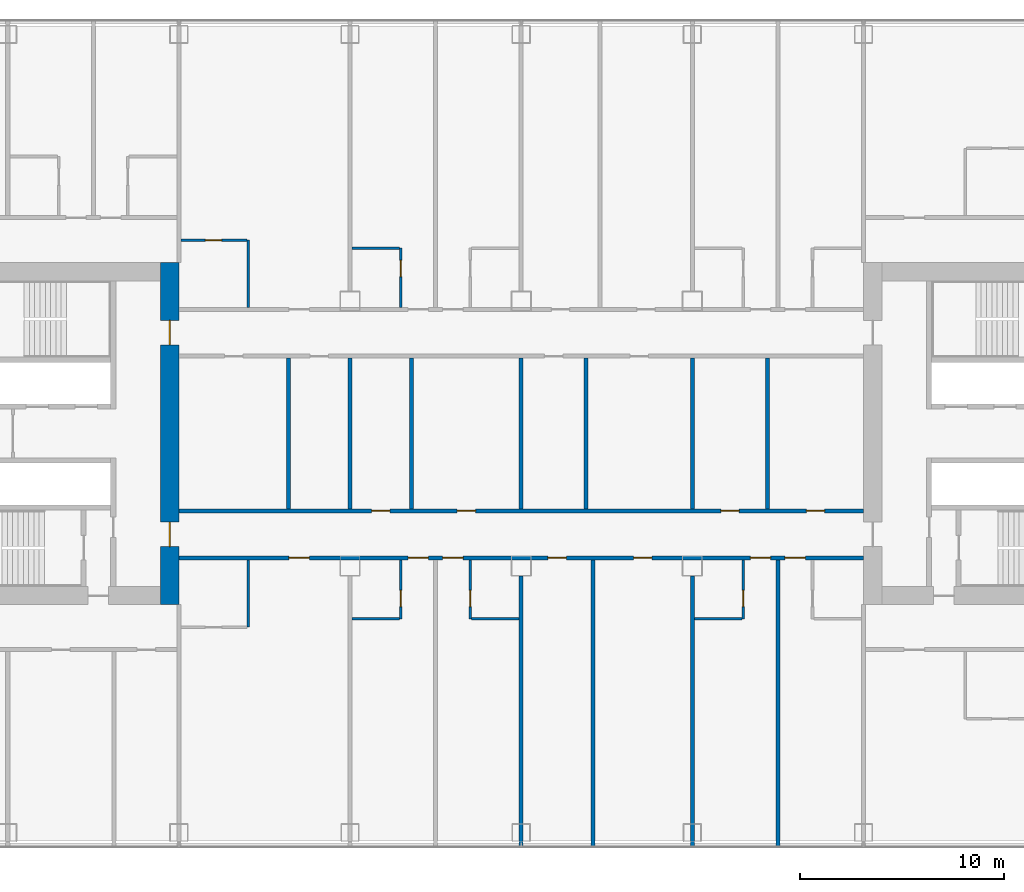
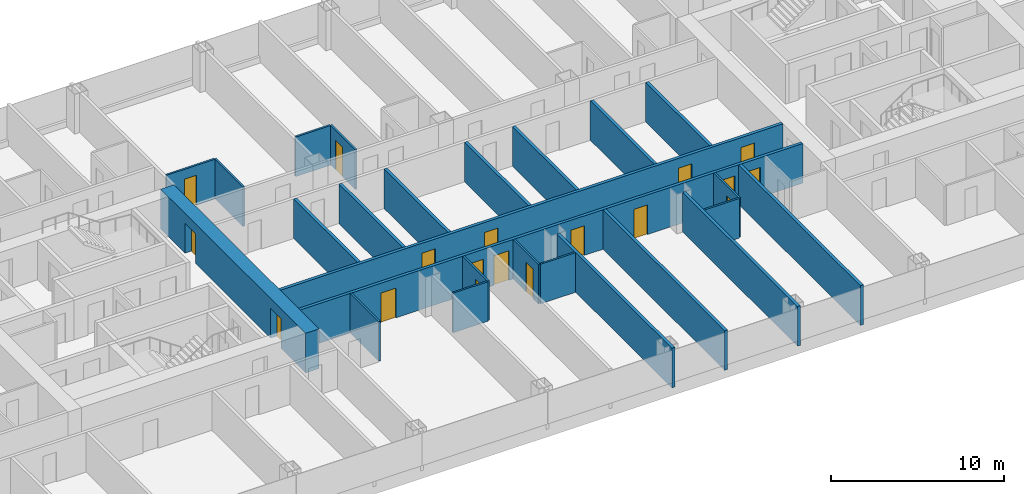
# One storey, part 15 of 28: 25 walls, 18 doors, 18 openings.
"""IFC4 building model written with IfcOpenShell, lengths in metres."""

from ifc_helpers import new_model, si_unit, direction, frame, frame_2d, origin, place, context, subcontext, project, spatial, rectangle, extrude, material, layer, layer_set, type_object, element, fill, save


model = new_model("IFC4")

# Units and contexts
model_context = context("Model", 3, precision=1e-05, world=origin(), true_north=direction((0.0, 1.0)))
body_context = subcontext(model_context, "Body", "Model", "MODEL_VIEW")
ifc_project = project(units=[si_unit("LENGTHUNIT", "METRE"), si_unit("AREAUNIT", "SQUARE_METRE"), si_unit("VOLUMEUNIT", "CUBIC_METRE"), si_unit("PLANEANGLEUNIT", "RADIAN"), si_unit("MASSUNIT", "GRAM", prefix="KILO")], contexts=[model_context])

# Site, building, storey
site_placement = place(None, origin())
site = spatial("IfcSite", under=ifc_project, at=site_placement, CompositionType="ELEMENT")
building_placement = place(site_placement, origin())
building = spatial("IfcBuilding", under=site, at=building_placement, Name="Hakoniwa Tower and Hamabe Station Hall", CompositionType="ELEMENT")
storey_placement = place(building_placement, frame((0.0, 0.0, 42.199951171875)))
storey = spatial("IfcBuildingStorey", under=building, at=storey_placement, Name="L11", CompositionType="ELEMENT", Elevation=42.199951171875)

# Walls
ifc_material_1 = material(Name="Gypsum board partition", Category="gypsum")
ifc_layer_1 = layer(ifc_material_1, 0.125)
ifc_layer_set_1 = layer_set([ifc_layer_1], Name="Bathroom Partition 125")
wall_type_1 = type_object("IfcWallType", Name="Bathroom Partition 125", PredefinedType="PARTITIONING", material=ifc_layer_set_1)
wall_1_placement = place(storey_placement, frame((-8.300048828125, -9.10009765625, 0.0), z_axis=(0.0, 0.0, 1.0), x_axis=(1.0, 0.0, 0.0)))
element("IfcWall", 1, at=wall_1_placement, inside=storey, type_object=wall_type_1, Name="GW-L11-010", PredefinedType="PARTITIONING", context=body_context, shape_type="SweptSolid", body=[
    extrude(rectangle(XDim=2.337646484375, YDim=0.125, at=frame_2d((1.1689453125, 0.0))), origin(), (0.0, 0.0, 1.0), 2.800048828125),
])
for number, where, z_axis, x_axis, name in (
    (2, (-2.4375, -9.10009765625, 0.0), (0.0, 0.0, 1.0), (1.0, 0.0, 0.0), "GW-L11-011"),
    (3, (8.5, -9.10009765625, 0.0), (0.0, 0.0, 1.0), (1.0, 0.0, 0.0), "GW-L11-012"),
):
    element("IfcWall", number, at=place(storey_placement, frame(where, z_axis=z_axis, x_axis=x_axis)), inside=storey, type_object=wall_type_1, Name=name, PredefinedType="PARTITIONING", context=body_context, shape_type="SweptSolid", body=[
        extrude(rectangle(XDim=2.33740234375, YDim=0.125, at=frame_2d((1.168701171875, 0.0))), origin(), (0.0, 0.0, 1.0), 2.800048828125),
    ])
wall_2_placement = place(storey_placement, frame((-8.300048828125, 9.10009765625, 0.0), z_axis=(0.0, 0.0, 1.0), x_axis=(1.0, 0.0, 0.0)))
element("IfcWall", 4, at=wall_2_placement, inside=storey, type_object=wall_type_1, Name="GW-L11-029", PredefinedType="PARTITIONING", context=body_context, shape_type="SweptSolid", body=[
    extrude(rectangle(XDim=2.337646484375, YDim=0.125, at=frame_2d((1.1689453125, 0.0))), origin(), (0.0, 0.0, 1.0), 2.800048828125),
])

# Wall, opening, door
wall_3_placement = place(storey_placement, frame((-16.699951171875, 9.5, 0.0), z_axis=(0.0, 0.0, 1.0), x_axis=(1.0, 0.0, 0.0)))
wall_3 = element("IfcWall", 5, at=wall_3_placement, inside=storey, type_object=wall_type_1, Name="GW-L11-033", PredefinedType="PARTITIONING", context=body_context, shape_type="SweptSolid", body=[
    extrude(rectangle(XDim=3.237548828125, YDim=0.125, at=frame_2d((1.61865234375, 0.0))), origin(), (0.0, 0.0, 1.0), 2.800048828125),
])
opening_1_placement = place(wall_3_placement, frame((1.199951171875, 0.0, 0.0)))
opening_1 = element("IfcOpeningElement", 6, at=opening_1_placement, cuts=wall_3, Name="Opening GD-G1C1-51", PredefinedType="OPENING", context=body_context, shape_type="SweptSolid", body=[
    extrude(rectangle(XDim=0.800048828125, YDim=2.10009765625, at=frame_2d((0.39990234375, 1.050048828125))), frame((0.0, 0.072509765625, 0.0), z_axis=(0.0, -1.0, 0.0), x_axis=(1.0, 0.0, 0.0)), (0.0, 0.0, 1.0), 0.14501953125),
])
ifc_material_2 = material(Name="Timber door leaf", Category="wood")
door_type_1 = type_object("IfcDoorType", Name="Bathroom Door 800", OperationType="SINGLE_SWING_LEFT", PredefinedType="DOOR", material=ifc_material_2)
door_1_placement = place(opening_1_placement, origin())
door_1 = element("IfcDoor", 7, at=door_1_placement, inside=storey, type_object=door_type_1, Name="Door GD-G1C1-51", OperationType="SINGLE_SWING_RIGHT", OverallHeight=2.10009765625, OverallWidth=0.800048828125, PredefinedType="DOOR", context=body_context, shape_type="SweptSolid", body=[
    extrude(rectangle(XDim=0.800048828125, YDim=2.10009765625, at=frame_2d((0.39990234375, 1.050048828125))), frame((0.0, 0.02490234375, 0.0), z_axis=(0.0, -1.0, 0.0), x_axis=(1.0, 0.0, 0.0)), (0.0, 0.0, 1.0), 0.050048828125),
])
fill(opening_1, door_1)

# Walls
for number, where, z_axis, x_axis, name in (
    (8, (-13.39990234375, -9.5, 0.0), (0.0, 0.0, 1.0), (0.0, 1.0, 0.0), "GW-L11-074"),
    (9, (-13.39990234375, 6.199951171875, 0.0), (0.0, 0.0, 1.0), (0.0, 1.0, 0.0), "GW-L11-075"),
):
    element("IfcWall", number, at=place(storey_placement, frame(where, z_axis=z_axis, x_axis=x_axis)), inside=storey, type_object=wall_type_1, Name=name, PredefinedType="PARTITIONING", context=body_context, shape_type="SweptSolid", body=[
        extrude(rectangle(XDim=3.300048828125, YDim=0.125, at=frame_2d((1.64990234375, 0.0))), origin(), (0.0, 0.0, 1.0), 2.800048828125),
    ])

# Wall, opening, door
wall_4_placement = place(storey_placement, frame((-5.89990234375, -9.10009765625, 0.0), z_axis=(0.0, 0.0, 1.0), x_axis=(0.0, 1.0, 0.0)))
wall_4 = element("IfcWall", 10, at=wall_4_placement, inside=storey, type_object=wall_type_1, Name="GW-L11-080", PredefinedType="PARTITIONING", context=body_context, shape_type="SweptSolid", body=[
    extrude(rectangle(XDim=2.900146484375, YDim=0.125, at=frame_2d((1.4501953125, 0.0))), origin(), (0.0, 0.0, 1.0), 2.800048828125),
])
opening_2_placement = place(wall_4_placement, frame((0.60009765625, 0.0, 0.0)))
opening_2 = element("IfcOpeningElement", 11, at=opening_2_placement, cuts=wall_4, Name="Opening GD-G1C1-74", PredefinedType="OPENING", context=body_context, shape_type="SweptSolid", body=[
    extrude(rectangle(XDim=0.800048828125, YDim=2.10009765625, at=frame_2d((0.39990234375, 1.050048828125))), frame((0.0, 0.072509765625, 0.0), z_axis=(0.0, -1.0, 0.0), x_axis=(1.0, 0.0, 0.0)), (0.0, 0.0, 1.0), 0.14501953125),
])
door_2_placement = place(opening_2_placement, origin())
door_2 = element("IfcDoor", 12, at=door_2_placement, inside=storey, type_object=door_type_1, Name="Door GD-G1C1-74", OperationType="SINGLE_SWING_RIGHT", OverallHeight=2.10009765625, OverallWidth=0.800048828125, PredefinedType="DOOR", context=body_context, shape_type="SweptSolid", body=[
    extrude(rectangle(XDim=0.800048828125, YDim=2.10009765625, at=frame_2d((0.39990234375, 1.050048828125))), frame((0.0, 0.02490234375, 0.0), z_axis=(0.0, -1.0, 0.0), x_axis=(1.0, 0.0, 0.0)), (0.0, 0.0, 1.0), 0.050048828125),
])
fill(opening_2, door_2)

wall_5_placement = place(storey_placement, frame((-5.89990234375, 6.199951171875, 0.0), z_axis=(0.0, 0.0, 1.0), x_axis=(0.0, 1.0, 0.0)))
wall_5 = element("IfcWall", 13, at=wall_5_placement, inside=storey, type_object=wall_type_1, Name="GW-L11-081", PredefinedType="PARTITIONING", context=body_context, shape_type="SweptSolid", body=[
    extrude(rectangle(XDim=2.900146484375, YDim=0.125, at=frame_2d((1.4501953125, 0.0))), origin(), (0.0, 0.0, 1.0), 2.800048828125),
])
opening_3_placement = place(wall_5_placement, frame((1.5, 0.0, 0.0)))
opening_3 = element("IfcOpeningElement", 14, at=opening_3_placement, cuts=wall_5, Name="Opening GD-G1C1-75", PredefinedType="OPENING", context=body_context, shape_type="SweptSolid", body=[
    extrude(rectangle(XDim=0.800048828125, YDim=2.10009765625, at=frame_2d((0.39990234375, 1.050048828125))), frame((0.0, 0.072509765625, 0.0), z_axis=(0.0, -1.0, 0.0), x_axis=(1.0, 0.0, 0.0)), (0.0, 0.0, 1.0), 0.14501953125),
])
door_3_placement = place(opening_3_placement, origin())
door_3 = element("IfcDoor", 15, at=door_3_placement, inside=storey, type_object=door_type_1, Name="Door GD-G1C1-75", OperationType="SINGLE_SWING_LEFT", OverallHeight=2.10009765625, OverallWidth=0.800048828125, PredefinedType="DOOR", context=body_context, shape_type="SweptSolid", body=[
    extrude(rectangle(XDim=0.800048828125, YDim=2.10009765625, at=frame_2d((0.39990234375, 1.050048828125))), frame((0.0, 0.02490234375, 0.0), z_axis=(0.0, -1.0, 0.0), x_axis=(1.0, 0.0, 0.0)), (0.0, 0.0, 1.0), 0.050048828125),
])
fill(opening_3, door_3)

wall_6_placement = place(storey_placement, frame((-2.5, -9.10009765625, 0.0), z_axis=(0.0, 0.0, 1.0), x_axis=(0.0, 1.0, 0.0)))
wall_6 = element("IfcWall", 16, at=wall_6_placement, inside=storey, type_object=wall_type_1, Name="GW-L11-085", PredefinedType="PARTITIONING", context=body_context, shape_type="SweptSolid", body=[
    extrude(rectangle(XDim=2.900146484375, YDim=0.125, at=frame_2d((1.4501953125, 0.0))), origin(), (0.0, 0.0, 1.0), 2.800048828125),
])
opening_4_placement = place(wall_6_placement, frame((0.60009765625, 0.0, 0.0)))
opening_4 = element("IfcOpeningElement", 17, at=opening_4_placement, cuts=wall_6, Name="Opening GD-G1C1-76", PredefinedType="OPENING", context=body_context, shape_type="SweptSolid", body=[
    extrude(rectangle(XDim=0.800048828125, YDim=2.10009765625, at=frame_2d((0.39990234375, 1.050048828125))), frame((0.0, 0.072509765625, 0.0), z_axis=(0.0, -1.0, 0.0), x_axis=(1.0, 0.0, 0.0)), (0.0, 0.0, 1.0), 0.14501953125),
])
door_4_placement = place(opening_4_placement, origin())
door_4 = element("IfcDoor", 18, at=door_4_placement, inside=storey, type_object=door_type_1, Name="Door GD-G1C1-76", OperationType="SINGLE_SWING_LEFT", OverallHeight=2.10009765625, OverallWidth=0.800048828125, PredefinedType="DOOR", context=body_context, shape_type="SweptSolid", body=[
    extrude(rectangle(XDim=0.800048828125, YDim=2.10009765625, at=frame_2d((0.39990234375, 1.050048828125))), frame((0.0, 0.02490234375, 0.0), z_axis=(0.0, -1.0, 0.0), x_axis=(1.0, 0.0, 0.0)), (0.0, 0.0, 1.0), 0.050048828125),
])
fill(opening_4, door_4)

wall_7_placement = place(storey_placement, frame((10.89990234375, -9.10009765625, 0.0), z_axis=(0.0, 0.0, 1.0), x_axis=(0.0, 1.0, 0.0)))
wall_7 = element("IfcWall", 19, at=wall_7_placement, inside=storey, type_object=wall_type_1, Name="GW-L11-096", PredefinedType="PARTITIONING", context=body_context, shape_type="SweptSolid", body=[
    extrude(rectangle(XDim=2.900146484375, YDim=0.125, at=frame_2d((1.4501953125, 0.0))), origin(), (0.0, 0.0, 1.0), 2.800048828125),
])
opening_5_placement = place(wall_7_placement, frame((0.60009765625, 0.0, 0.0)))
opening_5 = element("IfcOpeningElement", 20, at=opening_5_placement, cuts=wall_7, Name="Opening GD-G1C1-78", PredefinedType="OPENING", context=body_context, shape_type="SweptSolid", body=[
    extrude(rectangle(XDim=0.800048828125, YDim=2.10009765625, at=frame_2d((0.39990234375, 1.050048828125))), frame((0.0, 0.072509765625, 0.0), z_axis=(0.0, -1.0, 0.0), x_axis=(1.0, 0.0, 0.0)), (0.0, 0.0, 1.0), 0.14501953125),
])
door_5_placement = place(opening_5_placement, origin())
door_5 = element("IfcDoor", 21, at=door_5_placement, inside=storey, type_object=door_type_1, Name="Door GD-G1C1-78", OperationType="SINGLE_SWING_RIGHT", OverallHeight=2.10009765625, OverallWidth=0.800048828125, PredefinedType="DOOR", context=body_context, shape_type="SweptSolid", body=[
    extrude(rectangle(XDim=0.800048828125, YDim=2.10009765625, at=frame_2d((0.39990234375, 1.050048828125))), frame((0.0, 0.02490234375, 0.0), z_axis=(0.0, -1.0, 0.0), x_axis=(1.0, 0.0, 0.0)), (0.0, 0.0, 1.0), 0.050048828125),
])
fill(opening_5, door_5)

# Wall, openings, doors
ifc_material_3 = material(Name="Concrete C80", Category="concrete")
ifc_layer_2 = layer(ifc_material_3, 0.89990234375)
ifc_layer_set_2 = layer_set([ifc_layer_2], Name="CORE WALL 900 C80")
wall_type_2 = type_object("IfcWallType", Name="CORE WALL 900 C80", PredefinedType="SHEAR", material=ifc_layer_set_2)
wall_8_placement = place(storey_placement, frame((-17.25, -8.39990234375, 0.0), z_axis=(0.0, 0.0, 1.0), x_axis=(0.0, 1.0, 0.0)))
wall_8 = element("IfcWall", 22, at=wall_8_placement, inside=storey, type_object=wall_type_2, Name="Core wall INNER west", PredefinedType="SHEAR", context=body_context, shape_type="SweptSolid", body=[
    extrude(rectangle(XDim=16.7998046875, YDim=0.89990234375, at=frame_2d((8.39990234375, 0.0))), origin(), (0.0, 0.0, 1.0), 2.800048828125),
])
opening_6_placement = place(wall_8_placement, frame((12.75, 0.0, 0.0)))
opening_6 = element("IfcOpeningElement", 23, at=opening_6_placement, cuts=wall_8, Name="Opening CD-W-IN1-12", PredefinedType="OPENING", context=body_context, shape_type="SweptSolid", body=[
    extrude(rectangle(XDim=1.199951171875, YDim=2.10009765625, at=frame_2d((0.60009765625, 1.050048828125))), frame((0.0, 0.4599609375, 0.0), z_axis=(0.0, -1.0, 0.0), x_axis=(1.0, 0.0, 0.0)), (0.0, 0.0, 1.0), 0.919921875),
])
opening_7_placement = place(wall_8_placement, frame((2.85009765625, 0.0, 0.0)))
opening_7 = element("IfcOpeningElement", 24, at=opening_7_placement, cuts=wall_8, Name="Opening CD-W-IN2-12", PredefinedType="OPENING", context=body_context, shape_type="SweptSolid", body=[
    extrude(rectangle(XDim=1.199951171875, YDim=2.10009765625, at=frame_2d((0.60009765625, 1.050048828125))), frame((0.0, 0.4599609375, 0.0), z_axis=(0.0, -1.0, 0.0), x_axis=(1.0, 0.0, 0.0)), (0.0, 0.0, 1.0), 0.919921875),
])
ifc_material_4 = material(Name="Steel fire door", Category="steel")
door_type_2 = type_object("IfcDoorType", Name="CORE DOOR 1200 FD60", OperationType="DOUBLE_DOOR_SINGLE_SWING", PredefinedType="DOOR", material=ifc_material_4)
door_6_placement = place(opening_6_placement, origin())
door_6 = element("IfcDoor", 25, at=door_6_placement, inside=storey, type_object=door_type_2, Name="Lift lobby door", OperationType="DOUBLE_DOOR_SINGLE_SWING", OverallHeight=2.10009765625, OverallWidth=1.199951171875, PredefinedType="DOOR", context=body_context, shape_type="SweptSolid", body=[
    extrude(rectangle(XDim=1.199951171875, YDim=2.10009765625, at=frame_2d((0.60009765625, 1.050048828125))), frame((0.0, 0.02490234375, 0.0), z_axis=(0.0, -1.0, 0.0), x_axis=(1.0, 0.0, 0.0)), (0.0, 0.0, 1.0), 0.050048828125),
])
fill(opening_6, door_6)
door_7_placement = place(opening_7_placement, origin())
door_7 = element("IfcDoor", 26, at=door_7_placement, inside=storey, type_object=door_type_2, Name="Lift lobby door", OperationType="DOUBLE_DOOR_SINGLE_SWING", OverallHeight=2.10009765625, OverallWidth=1.199951171875, PredefinedType="DOOR", context=body_context, shape_type="SweptSolid", body=[
    extrude(rectangle(XDim=1.199951171875, YDim=2.10009765625, at=frame_2d((0.60009765625, 1.050048828125))), frame((0.0, 0.02490234375, 0.0), z_axis=(0.0, -1.0, 0.0), x_axis=(1.0, 0.0, 0.0)), (0.0, 0.0, 1.0), 0.050048828125),
])
fill(opening_7, door_7)

ifc_material_5 = material(Name="Fire-rated gypsum board partition", Category="gypsum")
ifc_layer_3 = layer(ifc_material_5, 0.199951171875)
ifc_layer_set_3 = layer_set([ifc_layer_3], Name="Corridor Wall 200")
wall_type_3 = type_object("IfcWallType", Name="Corridor Wall 200", PredefinedType="PARTITIONING", material=ifc_layer_set_3)
wall_9_placement = place(storey_placement, frame((-16.800048828125, -6.10009765625, 0.0), z_axis=(0.0, 0.0, 1.0), x_axis=(1.0, 0.0, 0.0)))
wall_9 = element("IfcWall", 27, at=wall_9_placement, inside=storey, type_object=wall_type_3, Name="GW-L11-016", PredefinedType="PARTITIONING", context=body_context, shape_type="SweptSolid", body=[
    extrude(rectangle(XDim=33.60009765625, YDim=0.199951171875, at=frame_2d((16.800048828125, 0.0))), origin(), (0.0, 0.0, 1.0), 2.800048828125),
])
opening_8_placement = place(wall_9_placement, frame((5.39990234375, 0.0, 0.0)))
opening_8 = element("IfcOpeningElement", 28, at=opening_8_placement, cuts=wall_9, Name="Opening GD-G1C1-22", PredefinedType="OPENING", context=body_context, shape_type="SweptSolid", body=[
    extrude(rectangle(XDim=1.0, YDim=2.10009765625, at=frame_2d((0.5, 1.050048828125))), frame((0.0, 0.10986328125, 0.0), z_axis=(0.0, -1.0, 0.0), x_axis=(1.0, 0.0, 0.0)), (0.0, 0.0, 1.0), 0.219970703125),
])
opening_9_placement = place(wall_9_placement, frame((11.25, 0.0, 0.0)))
opening_9 = element("IfcOpeningElement", 29, at=opening_9_placement, cuts=wall_9, Name="Opening GD-G1C1-23", PredefinedType="OPENING", context=body_context, shape_type="SweptSolid", body=[
    extrude(rectangle(XDim=1.0, YDim=2.10009765625, at=frame_2d((0.5, 1.050048828125))), frame((0.0, 0.10986328125, 0.0), z_axis=(0.0, -1.0, 0.0), x_axis=(1.0, 0.0, 0.0)), (0.0, 0.0, 1.0), 0.219970703125),
])
opening_10_placement = place(wall_9_placement, frame((12.949951171875, 0.0, 0.0)))
opening_10 = element("IfcOpeningElement", 30, at=opening_10_placement, cuts=wall_9, Name="Opening GD-G1C1-24", PredefinedType="OPENING", context=body_context, shape_type="SweptSolid", body=[
    extrude(rectangle(XDim=1.0, YDim=2.10009765625, at=frame_2d((0.5, 1.050048828125))), frame((0.0, 0.10986328125, 0.0), z_axis=(0.0, -1.0, 0.0), x_axis=(1.0, 0.0, 0.0)), (0.0, 0.0, 1.0), 0.219970703125),
])
opening_11_placement = place(wall_9_placement, frame((18.114990234375, 0.0, 0.0)))
opening_11 = element("IfcOpeningElement", 31, at=opening_11_placement, cuts=wall_9, Name="Opening GD-G1C1-25", PredefinedType="OPENING", context=body_context, shape_type="SweptSolid", body=[
    extrude(rectangle(XDim=0.89990234375, YDim=2.10009765625, at=frame_2d((0.449951171875, 1.050048828125))), frame((0.0, 0.10986328125, 0.0), z_axis=(0.0, -1.0, 0.0), x_axis=(1.0, 0.0, 0.0)), (0.0, 0.0, 1.0), 0.219970703125),
])
opening_12_placement = place(wall_9_placement, frame((22.31494140625, 0.0, 0.0)))
opening_12 = element("IfcOpeningElement", 32, at=opening_12_placement, cuts=wall_9, Name="Opening GD-G1C1-26", PredefinedType="OPENING", context=body_context, shape_type="SweptSolid", body=[
    extrude(rectangle(XDim=0.89990234375, YDim=2.10009765625, at=frame_2d((0.449951171875, 1.050048828125))), frame((0.0, 0.10986328125, 0.0), z_axis=(0.0, -1.0, 0.0), x_axis=(1.0, 0.0, 0.0)), (0.0, 0.0, 1.0), 0.219970703125),
])
opening_13_placement = place(wall_9_placement, frame((28.050048828125, 0.0, 0.0)))
opening_13 = element("IfcOpeningElement", 33, at=opening_13_placement, cuts=wall_9, Name="Opening GD-G1C1-27", PredefinedType="OPENING", context=body_context, shape_type="SweptSolid", body=[
    extrude(rectangle(XDim=1.0, YDim=2.10009765625, at=frame_2d((0.5, 1.050048828125))), frame((0.0, 0.10986328125, 0.0), z_axis=(0.0, -1.0, 0.0), x_axis=(1.0, 0.0, 0.0)), (0.0, 0.0, 1.0), 0.219970703125),
])
opening_14_placement = place(wall_9_placement, frame((29.75, 0.0, 0.0)))
opening_14 = element("IfcOpeningElement", 34, at=opening_14_placement, cuts=wall_9, Name="Opening GD-G1C1-28", PredefinedType="OPENING", context=body_context, shape_type="SweptSolid", body=[
    extrude(rectangle(XDim=1.0, YDim=2.10009765625, at=frame_2d((0.5, 1.050048828125))), frame((0.0, 0.10986328125, 0.0), z_axis=(0.0, -1.0, 0.0), x_axis=(1.0, 0.0, 0.0)), (0.0, 0.0, 1.0), 0.219970703125),
])
ifc_material_6 = material(Name="Timber door leaf", Category="wood")
door_type_3 = type_object("IfcDoorType", Name="Guest Entrance Door 1000", OperationType="SINGLE_SWING_LEFT", PredefinedType="DOOR", material=ifc_material_6)
door_8_placement = place(opening_8_placement, origin())
door_8 = element("IfcDoor", 35, at=door_8_placement, inside=storey, type_object=door_type_3, Name="Door GD-G1C1-22", OperationType="SINGLE_SWING_RIGHT", OverallHeight=2.10009765625, OverallWidth=1.0, PredefinedType="DOOR", context=body_context, shape_type="SweptSolid", body=[
    extrude(rectangle(XDim=1.0, YDim=2.10009765625, at=frame_2d((0.5, 1.050048828125))), frame((0.0, 0.02490234375, 0.0), z_axis=(0.0, -1.0, 0.0), x_axis=(1.0, 0.0, 0.0)), (0.0, 0.0, 1.0), 0.050048828125),
])
fill(opening_8, door_8)
door_9_placement = place(opening_9_placement, origin())
door_9 = element("IfcDoor", 36, at=door_9_placement, inside=storey, type_object=door_type_3, Name="Door GD-G1C1-23", OperationType="SINGLE_SWING_LEFT", OverallHeight=2.10009765625, OverallWidth=1.0, PredefinedType="DOOR", context=body_context, shape_type="SweptSolid", body=[
    extrude(rectangle(XDim=1.0, YDim=2.10009765625, at=frame_2d((0.5, 1.050048828125))), frame((0.0, 0.02490234375, 0.0), z_axis=(0.0, -1.0, 0.0), x_axis=(1.0, 0.0, 0.0)), (0.0, 0.0, 1.0), 0.050048828125),
])
fill(opening_9, door_9)
door_10_placement = place(opening_10_placement, origin())
door_10 = element("IfcDoor", 37, at=door_10_placement, inside=storey, type_object=door_type_3, Name="Door GD-G1C1-24", OperationType="SINGLE_SWING_RIGHT", OverallHeight=2.10009765625, OverallWidth=1.0, PredefinedType="DOOR", context=body_context, shape_type="SweptSolid", body=[
    extrude(rectangle(XDim=1.0, YDim=2.10009765625, at=frame_2d((0.5, 1.050048828125))), frame((0.0, 0.02490234375, 0.0), z_axis=(0.0, -1.0, 0.0), x_axis=(1.0, 0.0, 0.0)), (0.0, 0.0, 1.0), 0.050048828125),
])
fill(opening_10, door_10)
door_11_placement = place(opening_13_placement, origin())
door_11 = element("IfcDoor", 38, at=door_11_placement, inside=storey, type_object=door_type_3, Name="Door GD-G1C1-27", OperationType="SINGLE_SWING_LEFT", OverallHeight=2.10009765625, OverallWidth=1.0, PredefinedType="DOOR", context=body_context, shape_type="SweptSolid", body=[
    extrude(rectangle(XDim=1.0, YDim=2.10009765625, at=frame_2d((0.5, 1.050048828125))), frame((0.0, 0.02490234375, 0.0), z_axis=(0.0, -1.0, 0.0), x_axis=(1.0, 0.0, 0.0)), (0.0, 0.0, 1.0), 0.050048828125),
])
fill(opening_13, door_11)
door_12_placement = place(opening_14_placement, origin())
door_12 = element("IfcDoor", 39, at=door_12_placement, inside=storey, type_object=door_type_3, Name="Door GD-G1C1-28", OperationType="SINGLE_SWING_RIGHT", OverallHeight=2.10009765625, OverallWidth=1.0, PredefinedType="DOOR", context=body_context, shape_type="SweptSolid", body=[
    extrude(rectangle(XDim=1.0, YDim=2.10009765625, at=frame_2d((0.5, 1.050048828125))), frame((0.0, 0.02490234375, 0.0), z_axis=(0.0, -1.0, 0.0), x_axis=(1.0, 0.0, 0.0)), (0.0, 0.0, 1.0), 0.050048828125),
])
fill(opening_14, door_12)
ifc_material_7 = material(Name="Timber door leaf", Category="wood")
door_type_4 = type_object("IfcDoorType", Name="Service Door 900", OperationType="SINGLE_SWING_LEFT", PredefinedType="DOOR", material=ifc_material_7)
door_13_placement = place(opening_11_placement, origin())
door_13 = element("IfcDoor", 40, at=door_13_placement, inside=storey, type_object=door_type_4, Name="Door GD-G1C1-25", OperationType="SINGLE_SWING_RIGHT", OverallHeight=2.10009765625, OverallWidth=0.89990234375, PredefinedType="DOOR", context=body_context, shape_type="SweptSolid", body=[
    extrude(rectangle(XDim=0.89990234375, YDim=2.10009765625, at=frame_2d((0.449951171875, 1.050048828125))), frame((0.0, 0.02490234375, 0.0), z_axis=(0.0, -1.0, 0.0), x_axis=(1.0, 0.0, 0.0)), (0.0, 0.0, 1.0), 0.050048828125),
])
fill(opening_11, door_13)
door_14_placement = place(opening_12_placement, origin())
door_14 = element("IfcDoor", 41, at=door_14_placement, inside=storey, type_object=door_type_4, Name="Door GD-G1C1-26", OperationType="SINGLE_SWING_RIGHT", OverallHeight=2.10009765625, OverallWidth=0.89990234375, PredefinedType="DOOR", context=body_context, shape_type="SweptSolid", body=[
    extrude(rectangle(XDim=0.89990234375, YDim=2.10009765625, at=frame_2d((0.449951171875, 1.050048828125))), frame((0.0, 0.02490234375, 0.0), z_axis=(0.0, -1.0, 0.0), x_axis=(1.0, 0.0, 0.0)), (0.0, 0.0, 1.0), 0.050048828125),
])
fill(opening_12, door_14)

wall_10_placement = place(storey_placement, frame((-16.800048828125, -3.800048828125, 0.0), z_axis=(0.0, 0.0, 1.0), x_axis=(1.0, 0.0, 0.0)))
wall_10 = element("IfcWall", 42, at=wall_10_placement, inside=storey, type_object=wall_type_3, Name="GW-L11-020", PredefinedType="PARTITIONING", context=body_context, shape_type="SweptSolid", body=[
    extrude(rectangle(XDim=33.60009765625, YDim=0.199951171875, at=frame_2d((16.800048828125, 0.0))), origin(), (0.0, 0.0, 1.0), 2.800048828125),
])
opening_15_placement = place(wall_10_placement, frame((9.4599609375, 0.0, 0.0)))
opening_15 = element("IfcOpeningElement", 43, at=opening_15_placement, cuts=wall_10, Name="Opening GD-G1C1-31", PredefinedType="OPENING", context=body_context, shape_type="SweptSolid", body=[
    extrude(rectangle(XDim=0.89990234375, YDim=2.10009765625, at=frame_2d((0.449951171875, 1.050048828125))), frame((0.0, 0.10986328125, 0.0), z_axis=(0.0, -1.0, 0.0), x_axis=(1.0, 0.0, 0.0)), (0.0, 0.0, 1.0), 0.219970703125),
])
opening_16_placement = place(wall_10_placement, frame((13.659912109375, 0.0, 0.0)))
opening_16 = element("IfcOpeningElement", 44, at=opening_16_placement, cuts=wall_10, Name="Opening GD-G1C1-32", PredefinedType="OPENING", context=body_context, shape_type="SweptSolid", body=[
    extrude(rectangle(XDim=0.89990234375, YDim=2.10009765625, at=frame_2d((0.449951171875, 1.050048828125))), frame((0.0, 0.10986328125, 0.0), z_axis=(0.0, -1.0, 0.0), x_axis=(1.0, 0.0, 0.0)), (0.0, 0.0, 1.0), 0.219970703125),
])
opening_17_placement = place(wall_10_placement, frame((26.60009765625, 0.0, 0.0)))
opening_17 = element("IfcOpeningElement", 45, at=opening_17_placement, cuts=wall_10, Name="Opening GD-G1C1-33", PredefinedType="OPENING", context=body_context, shape_type="SweptSolid", body=[
    extrude(rectangle(XDim=0.89990234375, YDim=2.10009765625, at=frame_2d((0.449951171875, 1.050048828125))), frame((0.0, 0.10986328125, 0.0), z_axis=(0.0, -1.0, 0.0), x_axis=(1.0, 0.0, 0.0)), (0.0, 0.0, 1.0), 0.219970703125),
])
opening_18_placement = place(wall_10_placement, frame((30.800048828125, 0.0, 0.0)))
opening_18 = element("IfcOpeningElement", 46, at=opening_18_placement, cuts=wall_10, Name="Opening GD-G1C1-34", PredefinedType="OPENING", context=body_context, shape_type="SweptSolid", body=[
    extrude(rectangle(XDim=0.89990234375, YDim=2.10009765625, at=frame_2d((0.449951171875, 1.050048828125))), frame((0.0, 0.10986328125, 0.0), z_axis=(0.0, -1.0, 0.0), x_axis=(1.0, 0.0, 0.0)), (0.0, 0.0, 1.0), 0.219970703125),
])
door_15_placement = place(opening_15_placement, origin())
door_15 = element("IfcDoor", 47, at=door_15_placement, inside=storey, type_object=door_type_4, Name="Door GD-G1C1-31", OperationType="SINGLE_SWING_LEFT", OverallHeight=2.10009765625, OverallWidth=0.89990234375, PredefinedType="DOOR", context=body_context, shape_type="SweptSolid", body=[
    extrude(rectangle(XDim=0.89990234375, YDim=2.10009765625, at=frame_2d((0.449951171875, 1.050048828125))), frame((0.0, 0.02490234375, 0.0), z_axis=(0.0, -1.0, 0.0), x_axis=(1.0, 0.0, 0.0)), (0.0, 0.0, 1.0), 0.050048828125),
])
fill(opening_15, door_15)
door_16_placement = place(opening_16_placement, origin())
door_16 = element("IfcDoor", 48, at=door_16_placement, inside=storey, type_object=door_type_4, Name="Door GD-G1C1-32", OperationType="SINGLE_SWING_RIGHT", OverallHeight=2.10009765625, OverallWidth=0.89990234375, PredefinedType="DOOR", context=body_context, shape_type="SweptSolid", body=[
    extrude(rectangle(XDim=0.89990234375, YDim=2.10009765625, at=frame_2d((0.449951171875, 1.050048828125))), frame((0.0, 0.02490234375, 0.0), z_axis=(0.0, -1.0, 0.0), x_axis=(1.0, 0.0, 0.0)), (0.0, 0.0, 1.0), 0.050048828125),
])
fill(opening_16, door_16)
door_17_placement = place(opening_17_placement, origin())
door_17 = element("IfcDoor", 49, at=door_17_placement, inside=storey, type_object=door_type_4, Name="Door GD-G1C1-33", OperationType="SINGLE_SWING_LEFT", OverallHeight=2.10009765625, OverallWidth=0.89990234375, PredefinedType="DOOR", context=body_context, shape_type="SweptSolid", body=[
    extrude(rectangle(XDim=0.89990234375, YDim=2.10009765625, at=frame_2d((0.449951171875, 1.050048828125))), frame((0.0, 0.02490234375, 0.0), z_axis=(0.0, -1.0, 0.0), x_axis=(1.0, 0.0, 0.0)), (0.0, 0.0, 1.0), 0.050048828125),
])
fill(opening_17, door_17)
door_18_placement = place(opening_18_placement, origin())
door_18 = element("IfcDoor", 50, at=door_18_placement, inside=storey, type_object=door_type_4, Name="Door GD-G1C1-34", OperationType="SINGLE_SWING_RIGHT", OverallHeight=2.10009765625, OverallWidth=0.89990234375, PredefinedType="DOOR", context=body_context, shape_type="SweptSolid", body=[
    extrude(rectangle(XDim=0.89990234375, YDim=2.10009765625, at=frame_2d((0.449951171875, 1.050048828125))), frame((0.0, 0.02490234375, 0.0), z_axis=(0.0, -1.0, 0.0), x_axis=(1.0, 0.0, 0.0)), (0.0, 0.0, 1.0), 0.050048828125),
])
fill(opening_18, door_18)

# Walls
ifc_material_8 = material(Name="Fire-rated gypsum board partition", Category="gypsum")
ifc_layer_4 = layer(ifc_material_8, 0.199951171875)
ifc_layer_set_4 = layer_set([ifc_layer_4], Name="Party Wall 200")
wall_type_4 = type_object("IfcWallType", Name="Party Wall 200", PredefinedType="PARTITIONING", material=ifc_layer_set_4)
for number, where, z_axis, x_axis, name in (
    (51, (-11.419921875, -3.699951171875, 0.0), (0.0, 0.0, 1.0), (0.0, 1.0, 0.0), "GW-L11-076"),
    (52, (-8.39990234375, -3.699951171875, 0.0), (0.0, 0.0, 1.0), (0.0, 1.0, 0.0), "GW-L11-078"),
    (53, (-5.3798828125, -3.699951171875, 0.0), (0.0, 0.0, 1.0), (0.0, 1.0, 0.0), "GW-L11-082"),
):
    element("IfcWall", number, at=place(storey_placement, frame(where, z_axis=z_axis, x_axis=x_axis)), inside=storey, type_object=wall_type_4, Name=name, PredefinedType="PARTITIONING", context=body_context, shape_type="SweptSolid", body=[
        extrude(rectangle(XDim=7.39990234375, YDim=0.199951171875, at=frame_2d((3.699951171875, 0.0))), origin(), (0.0, 0.0, 1.0), 2.800048828125),
    ])
wall_11_placement = place(storey_placement, frame((0.0, -20.300048828125, 0.0), z_axis=(0.0, 0.0, 1.0), x_axis=(0.0, 1.0, 0.0)))
element("IfcWall", 54, at=wall_11_placement, inside=storey, type_object=wall_type_4, Name="GW-L11-087", PredefinedType="PARTITIONING", context=body_context, shape_type="SweptSolid", body=[
    extrude(rectangle(XDim=13.31005859375, YDim=0.199951171875, at=frame_2d((6.655029296875, 0.0))), origin(), (0.0, 0.0, 1.0), 2.800048828125),
])
for number, where, z_axis, x_axis, name in (
    (55, (0.0, -3.699951171875, 0.0), (0.0, 0.0, 1.0), (0.0, 1.0, 0.0), "GW-L11-088"),
    (56, (3.18994140625, -3.699951171875, 0.0), (0.0, 0.0, 1.0), (0.0, 1.0, 0.0), "GW-L11-090"),
):
    element("IfcWall", number, at=place(storey_placement, frame(where, z_axis=z_axis, x_axis=x_axis)), inside=storey, type_object=wall_type_4, Name=name, PredefinedType="PARTITIONING", context=body_context, shape_type="SweptSolid", body=[
        extrude(rectangle(XDim=7.39990234375, YDim=0.199951171875, at=frame_2d((3.699951171875, 0.0))), origin(), (0.0, 0.0, 1.0), 2.800048828125),
    ])
wall_12_placement = place(storey_placement, frame((3.530029296875, -20.300048828125, 0.0), z_axis=(0.0, 0.0, 1.0), x_axis=(0.0, 1.0, 0.0)))
element("IfcWall", 57, at=wall_12_placement, inside=storey, type_object=wall_type_4, Name="GW-L11-091", PredefinedType="PARTITIONING", context=body_context, shape_type="SweptSolid", body=[
    extrude(rectangle(XDim=14.10009765625, YDim=0.199951171875, at=frame_2d((7.050048828125, 0.0))), origin(), (0.0, 0.0, 1.0), 2.800048828125),
])
wall_13_placement = place(storey_placement, frame((8.39990234375, -20.300048828125, 0.0), z_axis=(0.0, 0.0, 1.0), x_axis=(0.0, 1.0, 0.0)))
element("IfcWall", 58, at=wall_13_placement, inside=storey, type_object=wall_type_4, Name="GW-L11-093", PredefinedType="PARTITIONING", context=body_context, shape_type="SweptSolid", body=[
    extrude(rectangle(XDim=13.31005859375, YDim=0.199951171875, at=frame_2d((6.655029296875, 0.0))), origin(), (0.0, 0.0, 1.0), 2.800048828125),
])
for number, where, z_axis, x_axis, name in (
    (59, (8.39990234375, -3.699951171875, 0.0), (0.0, 0.0, 1.0), (0.0, 1.0, 0.0), "GW-L11-094"),
    (60, (12.10009765625, -3.699951171875, 0.0), (0.0, 0.0, 1.0), (0.0, 1.0, 0.0), "GW-L11-098"),
):
    element("IfcWall", number, at=place(storey_placement, frame(where, z_axis=z_axis, x_axis=x_axis)), inside=storey, type_object=wall_type_4, Name=name, PredefinedType="PARTITIONING", context=body_context, shape_type="SweptSolid", body=[
        extrude(rectangle(XDim=7.39990234375, YDim=0.199951171875, at=frame_2d((3.699951171875, 0.0))), origin(), (0.0, 0.0, 1.0), 2.800048828125),
    ])
wall_14_placement = place(storey_placement, frame((12.60009765625, -20.300048828125, 0.0), z_axis=(0.0, 0.0, 1.0), x_axis=(0.0, 1.0, 0.0)))
element("IfcWall", 61, at=wall_14_placement, inside=storey, type_object=wall_type_4, Name="GW-L11-099", PredefinedType="PARTITIONING", context=body_context, shape_type="SweptSolid", body=[
    extrude(rectangle(XDim=14.10009765625, YDim=0.199951171875, at=frame_2d((7.050048828125, 0.0))), origin(), (0.0, 0.0, 1.0), 2.800048828125),
])

save(model, "model.ifc")
